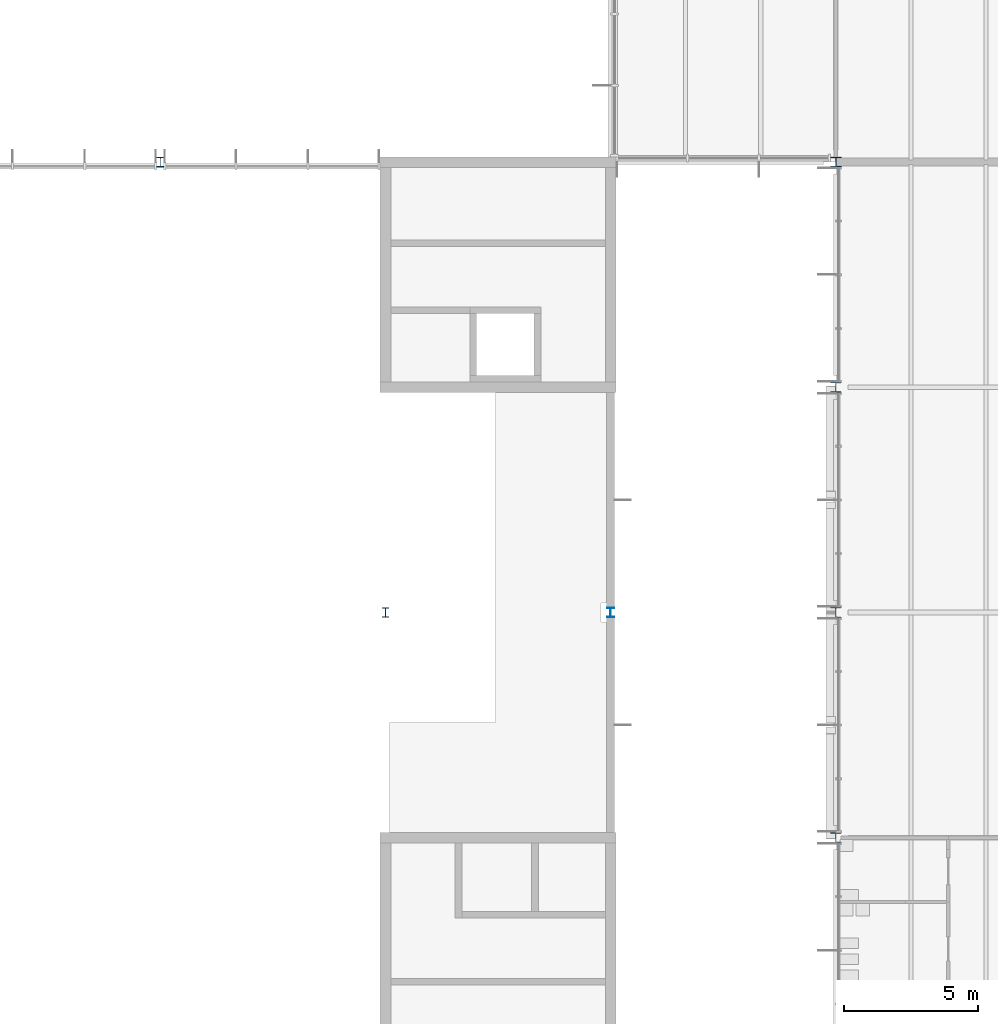
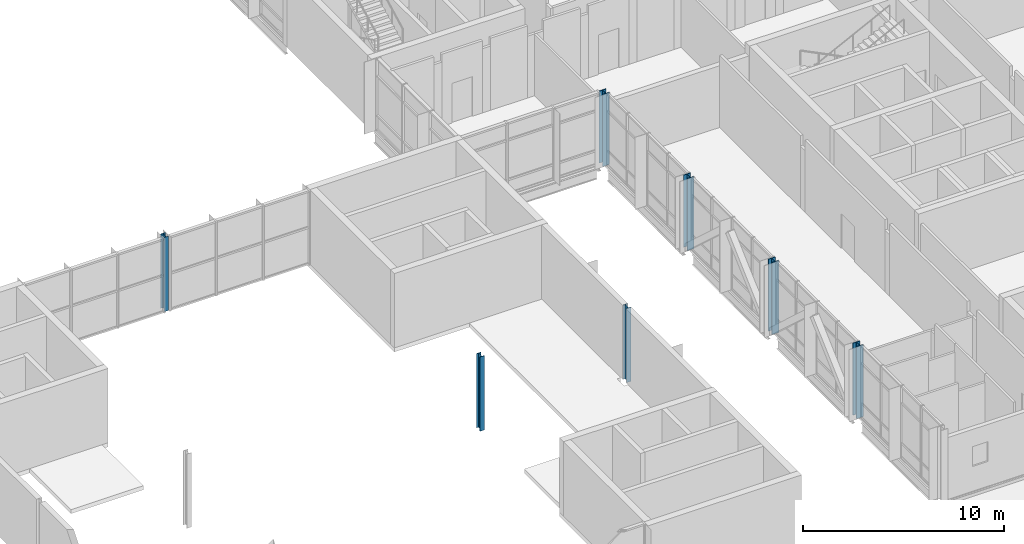
# One storey, part 6 of 89: 7 columns.
"""IFC4 building model written with IfcOpenShell, lengths in metres."""

from ifc_helpers import new_model, si_unit, direction, frame, origin, origin_2d, place, context, subcontext, project, spatial, i_section, extrude, material, material_profile, profile_set, type_object, element, save


model = new_model("IFC4")

# Units and contexts
model_context = context("Model", 3, precision=1e-05, world=origin(), true_north=direction((0.0, 1.0)))
body_context = subcontext(model_context, "Body", "Model", "MODEL_VIEW")
ifc_project = project(units=[si_unit("LENGTHUNIT", "METRE"), si_unit("AREAUNIT", "SQUARE_METRE"), si_unit("VOLUMEUNIT", "CUBIC_METRE"), si_unit("PLANEANGLEUNIT", "RADIAN"), si_unit("MASSUNIT", "GRAM", prefix="KILO")], contexts=[model_context])

# Site, building, storey
site_placement = place(None, origin())
site = spatial("IfcSite", under=ifc_project, at=site_placement, CompositionType="ELEMENT")
building_placement = place(site_placement, origin())
building = spatial("IfcBuilding", under=site, at=building_placement, Name="Hlaing Beacon Police Headquarters", CompositionType="ELEMENT")
storey_placement = place(building_placement, frame((0.0, 0.0, 9.89990234375)))
storey = spatial("IfcBuildingStorey", under=building, at=storey_placement, Name="L02", CompositionType="ELEMENT", Elevation=9.89990234375)

# Columns
ifc_material_1 = material(Name="Steel ASTM A992 Grade 50", Category="steel")
ifc_material_profile_1 = material_profile(ifc_material_1, i_section(OverallWidth=0.393798828125, OverallDepth=0.3759765625, WebThickness=0.017333984375, FlangeThickness=0.027587890625, FilletRadius=0.01513671875, at=origin_2d()), Name="W14x145")
ifc_profile_set_1 = profile_set([ifc_material_profile_1], Name="Steel ASTM A992 Grade 50")
column_type_1 = type_object("IfcColumnType", Name="Steel column W14x145", PredefinedType="COLUMN", material=ifc_profile_set_1)
column_1_placement = place(storey_placement, frame((100.800048828125, 67.199951171875, 0.0), z_axis=(0.0, 0.0, 1.0), x_axis=(1.0, 0.0, 0.0)))
element("IfcColumn", 1, at=column_1_placement, inside=storey, type_object=column_type_1, Name="STR-COL-L02-N9", PredefinedType="COLUMN", context=body_context, shape_type="SweptSolid", body=[
    extrude(i_section(OverallWidth=0.393798828125, OverallDepth=0.3759765625, WebThickness=0.017333984375, FlangeThickness=0.027587890625, FilletRadius=0.01513671875, at=origin_2d()), origin(), (0.0, 0.0, 1.0), 4.3701171875),
])
ifc_material_2 = material(Name="Steel ASTM A992 Grade 50", Category="steel")
ifc_material_profile_2 = material_profile(ifc_material_2, i_section(OverallWidth=0.398681640625, OverallDepth=0.385986328125, WebThickness=0.02099609375, FlangeThickness=0.033203125, FilletRadius=0.01513671875, at=origin_2d()), Name="W14x176")
ifc_profile_set_2 = profile_set([ifc_material_profile_2], Name="Steel ASTM A992 Grade 50")
column_type_2 = type_object("IfcColumnType", Name="Steel column W14x176", PredefinedType="COLUMN", material=ifc_profile_set_2)
for number, where, z_axis, x_axis, name in (
    (2, (100.800048828125, 42.0, 0.0), (0.0, 0.0, 1.0), (1.0, 0.0, 0.0), "STR-COL-L02-N6"),
    (3, (100.800048828125, 50.39990234375, 0.0), (0.0, 0.0, 1.0), (1.0, 0.0, 0.0), "STR-COL-L02-N7"),
    (4, (100.800048828125, 58.800048828125, 0.0), (0.0, 0.0, 1.0), (1.0, 0.0, 0.0), "STR-COL-L02-N8"),
):
    element("IfcColumn", number, at=place(storey_placement, frame(where, z_axis=z_axis, x_axis=x_axis)), inside=storey, type_object=column_type_2, Name=name, PredefinedType="COLUMN", context=body_context, shape_type="SweptSolid", body=[
        extrude(i_section(OverallWidth=0.398681640625, OverallDepth=0.385986328125, WebThickness=0.02099609375, FlangeThickness=0.033203125, FilletRadius=0.01513671875, at=origin_2d()), origin(), (0.0, 0.0, 1.0), 4.3701171875),
    ])
ifc_material_3 = material(Name="Steel ASTM A992 Grade 50", Category="steel")
ifc_material_profile_3 = material_profile(ifc_material_3, i_section(OverallWidth=0.25390625, OverallDepth=0.35302734375, WebThickness=0.009521484375, FlangeThickness=0.016357421875, FilletRadius=0.01513671875, at=origin_2d()), Name="W14x61")
ifc_profile_set_3 = profile_set([ifc_material_profile_3], Name="Steel ASTM A992 Grade 50")
column_type_3 = type_object("IfcColumnType", Name="Steel column W14x61", PredefinedType="COLUMN", material=ifc_profile_set_3)
column_2_placement = place(storey_placement, frame((92.39990234375, 50.39990234375, 0.0), z_axis=(0.0, 0.0, 1.0), x_axis=(1.0, 0.0, 0.0)))
element("IfcColumn", 5, at=column_2_placement, inside=storey, type_object=column_type_3, Name="STR-COL-L02-M7", PredefinedType="COLUMN", context=body_context, shape_type="SweptSolid", body=[
    extrude(i_section(OverallWidth=0.25390625, OverallDepth=0.35302734375, WebThickness=0.009521484375, FlangeThickness=0.016357421875, FilletRadius=0.01513671875, at=origin_2d()), origin(), (0.0, 0.0, 1.0), 4.5),
])
ifc_material_4 = material(Name="Steel ASTM A992 Grade 50", Category="steel")
ifc_material_profile_4 = material_profile(ifc_material_4, i_section(OverallWidth=0.256591796875, OverallDepth=0.36328125, WebThickness=0.012939453125, FlangeThickness=0.021728515625, FilletRadius=0.01513671875, at=origin_2d()), Name="W14x82")
ifc_profile_set_4 = profile_set([ifc_material_profile_4], Name="Steel ASTM A992 Grade 50")
column_type_4 = type_object("IfcColumnType", Name="Steel column W14x82", PredefinedType="COLUMN", material=ifc_profile_set_4)
for number, where, z_axis, x_axis, name in (
    (6, (75.60009765625, 67.199951171875, 0.0), (0.0, 0.0, 1.0), (1.0, 0.0, 0.0), "STR-COL-L02-K9"),
    (7, (84.0, 50.39990234375, 0.0), (0.0, 0.0, 1.0), (1.0, 0.0, 0.0), "STR-COL-L02-L7"),
):
    element("IfcColumn", number, at=place(storey_placement, frame(where, z_axis=z_axis, x_axis=x_axis)), inside=storey, type_object=column_type_4, Name=name, PredefinedType="COLUMN", context=body_context, shape_type="SweptSolid", body=[
        extrude(i_section(OverallWidth=0.256591796875, OverallDepth=0.36328125, WebThickness=0.012939453125, FlangeThickness=0.021728515625, FilletRadius=0.01513671875, at=origin_2d()), origin(), (0.0, 0.0, 1.0), 4.5),
    ])

save(model, "model.ifc")
